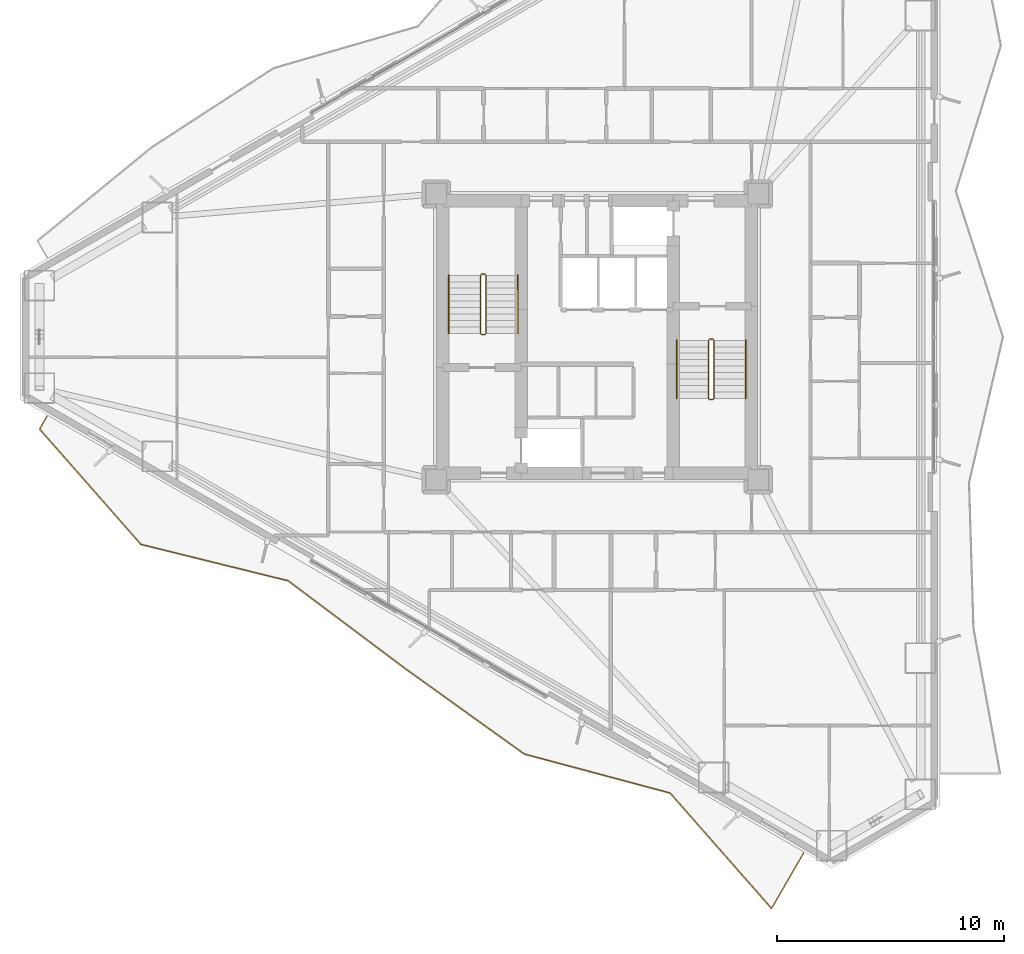
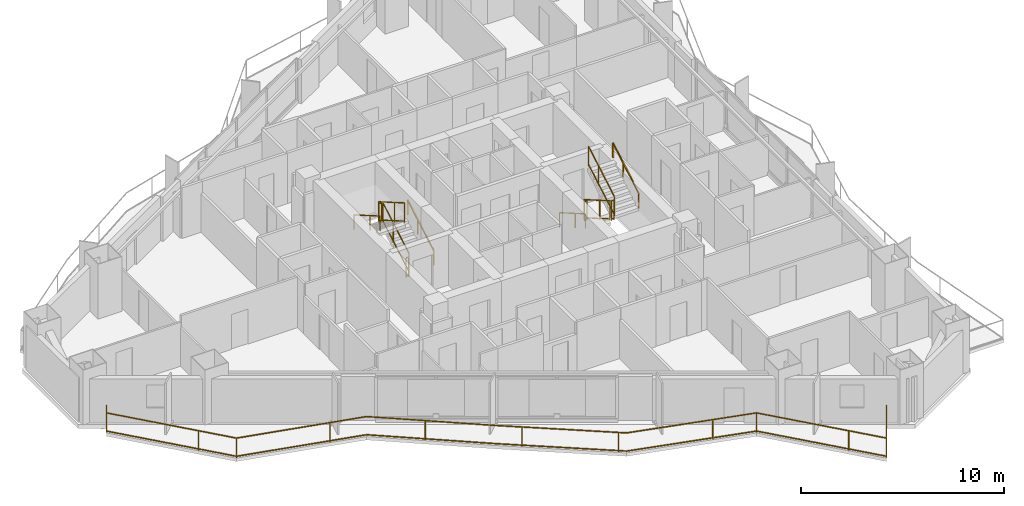
# One storey, part 18 of 19: 13 railings.
"""IFC4 building model written with IfcOpenShell, lengths in metres."""

from ifc_helpers import new_model, si_unit, direction, frame, origin, origin_2d, place, context, subcontext, project, spatial, rectangle, extrude, material, type_object, element, save


model = new_model("IFC4")

# Units and contexts
model_context = context("Model", 3, precision=1e-05, world=origin(), true_north=direction((0.0, 1.0)))
body_context = subcontext(model_context, "Body", "Model", "MODEL_VIEW")
ifc_project = project(units=[si_unit("LENGTHUNIT", "METRE"), si_unit("AREAUNIT", "SQUARE_METRE"), si_unit("VOLUMEUNIT", "CUBIC_METRE"), si_unit("PLANEANGLEUNIT", "RADIAN"), si_unit("MASSUNIT", "GRAM", prefix="KILO")], contexts=[model_context])

# Site, building, storey
site_placement = place(None, origin())
site = spatial("IfcSite", under=ifc_project, at=site_placement, CompositionType="ELEMENT")
building_placement = place(site_placement, origin())
building = spatial("IfcBuilding", under=site, at=building_placement, Name="Mersakhor Tower and Convention Hall", CompositionType="ELEMENT")
storey_placement = place(building_placement, frame((0.0, 0.0, 22.5)))
storey = spatial("IfcBuildingStorey", under=building, at=storey_placement, Name="L05", CompositionType="ELEMENT", Elevation=22.5)

# Railings
ifc_material_1 = material(Name="Powder-coated galvanised steel and laminated glass balustrade", Category="steel")
railing_type_1 = type_object("IfcRailingType", Name="RL-BAL-1200", PredefinedType="BALUSTRADE", material=ifc_material_1)
railing_1_placement = place(storey_placement, frame((4.75048828125, 23.256591796875, 0.0)))
element("IfcRailing", 1, at=railing_1_placement, inside=storey, type_object=railing_type_1, Name="L05 Sinusoidal Balcony Balustrade F3", PredefinedType="BALUSTRADE", context=body_context, shape_type="SweptSolid", body=[
    extrude(rectangle(XDim=0.048095703125, YDim=0.048095703125, at=origin_2d()), frame((0.0, 0.0, 1.17578125), z_axis=(-0.500058503878, -0.86599162392, 0.0), x_axis=(0.86599162392, -0.500058503878, 0.0)), (0.0, 0.0, 1.0), 0.64990234375),
    extrude(rectangle(XDim=0.048095703125, YDim=0.048095703125, at=origin_2d()), frame((0.0, 0.0, 0.080078125), z_axis=(-0.500058503878, -0.86599162392, 0.0), x_axis=(0.86599162392, -0.500058503878, 0.0)), (0.0, 0.0, 1.0), 0.64990234375),
    extrude(rectangle(XDim=0.048095703125, YDim=0.048095703125, at=origin_2d()), frame((-0.324951171875, -0.562744140625, 1.17578125), z_axis=(0.6602427576, -0.75105226252, 0.0), x_axis=(0.75105226252, 0.6602427576, 0.0)), (0.0, 0.0, 1.0), 6.77490234375),
    extrude(rectangle(XDim=0.048095703125, YDim=0.048095703125, at=origin_2d()), frame((-0.324951171875, -0.562744140625, 0.080078125), z_axis=(0.6602427576, -0.75105226252, 0.0), x_axis=(0.75105226252, 0.6602427576, 0.0)), (0.0, 0.0, 1.0), 6.77490234375),
    extrude(rectangle(XDim=0.048095703125, YDim=0.048095703125, at=origin_2d()), frame((4.148193359375, -5.651123046875, 1.17578125), z_axis=(0.97079249637, -0.239920672288, 0.0), x_axis=(0.239920672288, 0.97079249637, 0.0)), (0.0, 0.0, 1.0), 6.680419921875),
    extrude(rectangle(XDim=0.048095703125, YDim=0.048095703125, at=origin_2d()), frame((4.148193359375, -5.651123046875, 0.080078125), z_axis=(0.97079249637, -0.239920672288, 0.0), x_axis=(0.239920672288, 0.97079249637, 0.0)), (0.0, 0.0, 1.0), 6.680419921875),
    extrude(rectangle(XDim=0.048095703125, YDim=0.048095703125, at=origin_2d()), frame((10.633544921875, -7.25390625, 1.17578125), z_axis=(0.800086099683, -0.59988518326, 0.0), x_axis=(0.59988518326, 0.800086099683, 0.0)), (0.0, 0.0, 1.0), 6.46435546875),
    extrude(rectangle(XDim=0.048095703125, YDim=0.048095703125, at=origin_2d()), frame((10.633544921875, -7.25390625, 0.080078125), z_axis=(0.800086099683, -0.59988518326, 0.0), x_axis=(0.59988518326, 0.800086099683, 0.0)), (0.0, 0.0, 1.0), 6.46435546875),
    extrude(rectangle(XDim=0.048095703125, YDim=0.048095703125, at=origin_2d()), frame((15.8056640625, -11.1318359375, 1.17578125), z_axis=(0.812539809748, -0.582905702129, 0.0), x_axis=(0.582905702129, 0.812539809748, 0.0)), (0.0, 0.0, 1.0), 6.44921875),
    extrude(rectangle(XDim=0.048095703125, YDim=0.048095703125, at=origin_2d()), frame((15.8056640625, -11.1318359375, 0.080078125), z_axis=(0.812539809748, -0.582905702129, 0.0), x_axis=(0.582905702129, 0.812539809748, 0.0)), (0.0, 0.0, 1.0), 6.44921875),
    extrude(rectangle(XDim=0.048095703125, YDim=0.048095703125, at=origin_2d()), frame((21.0458984375, -14.89111328125, 1.17578125), z_axis=(0.966054215324, -0.258339414442, 0.0), x_axis=(0.258339414442, 0.966054215324, 0.0)), (0.0, 0.0, 1.0), 6.6455078125),
    extrude(rectangle(XDim=0.048095703125, YDim=0.048095703125, at=origin_2d()), frame((21.0458984375, -14.89111328125, 0.080078125), z_axis=(0.966054215324, -0.258339414442, 0.0), x_axis=(0.258339414442, 0.966054215324, 0.0)), (0.0, 0.0, 1.0), 6.6455078125),
    extrude(rectangle(XDim=0.048095703125, YDim=0.048095703125, at=origin_2d()), frame((27.4658203125, -16.60791015625, 1.17578125), z_axis=(0.660260627075, -0.751036553262, 0.0), x_axis=(0.751036553262, 0.660260627075, 0.0)), (0.0, 0.0, 1.0), 6.77490234375),
    extrude(rectangle(XDim=0.048095703125, YDim=0.048095703125, at=origin_2d()), frame((27.4658203125, -16.60791015625, 0.080078125), z_axis=(0.660260627075, -0.751036553262, 0.0), x_axis=(0.751036553262, 0.660260627075, 0.0)), (0.0, 0.0, 1.0), 6.77490234375),
    extrude(rectangle(XDim=0.048095703125, YDim=0.048095703125, at=origin_2d()), frame((31.93896484375, -21.696044921875, 1.17578125), z_axis=(0.500049687543, 0.865996714767, 0.0), x_axis=(-0.865996714767, 0.500049687543, 0.0)), (0.0, 0.0, 1.0), 2.820068359375),
    extrude(rectangle(XDim=0.048095703125, YDim=0.048095703125, at=origin_2d()), frame((31.93896484375, -21.696044921875, 0.080078125), z_axis=(0.500049687543, 0.865996714767, 0.0), x_axis=(-0.865996714767, 0.500049687543, 0.0)), (0.0, 0.0, 1.0), 2.820068359375),
    extrude(rectangle(XDim=0.0419921875, YDim=0.0419921875, at=origin_2d()), origin(), (0.0, 0.0, 1.0), 1.15185546875),
    extrude(rectangle(XDim=0.0419921875, YDim=0.0419921875, at=origin_2d()), frame((-0.324951171875, -0.562744140625, 0.0)), (0.0, 0.0, 1.0), 1.15185546875),
    extrude(rectangle(XDim=0.0419921875, YDim=0.0419921875, at=origin_2d()), frame((2.84423828125, -4.167724609375, 0.0)), (0.0, 0.0, 1.0), 1.15185546875),
    extrude(rectangle(XDim=0.0419921875, YDim=0.0419921875, at=origin_2d()), frame((4.148193359375, -5.651123046875, 0.0)), (0.0, 0.0, 1.0), 1.15185546875),
    extrude(rectangle(XDim=0.0419921875, YDim=0.0419921875, at=origin_2d()), frame((8.80810546875, -6.802734375, 0.0)), (0.0, 0.0, 1.0), 1.15185546875),
    extrude(rectangle(XDim=0.0419921875, YDim=0.0419921875, at=origin_2d()), frame((12.969482421875, -9.00537109375, 0.0)), (0.0, 0.0, 1.0), 1.15185546875),
    extrude(rectangle(XDim=0.0419921875, YDim=0.0419921875, at=origin_2d()), frame((16.825439453125, -11.863525390625, 0.0)), (0.0, 0.0, 1.0), 1.15185546875),
    extrude(rectangle(XDim=0.0419921875, YDim=0.0419921875, at=origin_2d()), frame((20.7255859375, -14.661376953125, 0.0)), (0.0, 0.0, 1.0), 1.15185546875),
    extrude(rectangle(XDim=0.0419921875, YDim=0.0419921875, at=origin_2d()), frame((25.30224609375, -16.029296875, 0.0)), (0.0, 0.0, 1.0), 1.15185546875),
    extrude(rectangle(XDim=0.0419921875, YDim=0.0419921875, at=origin_2d()), frame((27.4658203125, -16.60791015625, 0.0)), (0.0, 0.0, 1.0), 1.15185546875),
    extrude(rectangle(XDim=0.0419921875, YDim=0.0419921875, at=origin_2d()), frame((30.635009765625, -20.212890625, 0.0)), (0.0, 0.0, 1.0), 1.15185546875),
    extrude(rectangle(XDim=0.0419921875, YDim=0.0419921875, at=origin_2d()), frame((31.93896484375, -21.696044921875, 0.0)), (0.0, 0.0, 1.0), 1.15185546875),
    extrude(rectangle(XDim=0.0419921875, YDim=0.0419921875, at=origin_2d()), frame((33.34912109375, -19.25390625, 0.0)), (0.0, 0.0, 1.0), 1.15185546875),
])
ifc_material_2 = material(Name="Brushed stainless steel handrail", Category="steel")
railing_type_2 = type_object("IfcRailingType", Name="RL-HR-900", PredefinedType="HANDRAIL", material=ifc_material_2)
railing_2_placement = place(storey_placement, frame((25.5, 26.89990234375, 0.1650390625)))
element("IfcRailing", 2, at=railing_2_placement, inside=storey, type_object=railing_type_2, Name="L05 ST-1 stair handrail 1", PredefinedType="HANDRAIL", context=body_context, shape_type="SweptSolid", body=[
    extrude(rectangle(XDim=0.048095703125, YDim=0.048095703125, at=origin_2d()), frame((0.0, 0.0, 0.8759765625), z_axis=(0.0, 0.865461999751, 0.500974577186), x_axis=(-1.0, 0.0, 0.0)), (0.0, 0.0, 1.0), 2.9638671875),
    extrude(rectangle(XDim=0.0419921875, YDim=0.0419921875, at=origin_2d()), origin(), (0.0, 0.0, 1.0), 0.851806640625),
    extrude(rectangle(XDim=0.0419921875, YDim=0.0419921875, at=origin_2d()), frame((0.0, 1.557861328125, 0.90185546875)), (0.0, 0.0, 1.0), 0.851806640625),
    extrude(rectangle(XDim=0.0419921875, YDim=0.0419921875, at=origin_2d()), frame((0.0, 2.565185546875, 1.48486328125)), (0.0, 0.0, 1.0), 0.851806640625),
])
railing_3_placement = place(storey_placement, frame((22.449951171875, 29.465087890625, 1.81494140625)))
element("IfcRailing", 3, at=railing_3_placement, inside=storey, type_object=railing_type_2, Name="L05 ST-1 stair handrail 2", PredefinedType="HANDRAIL", context=body_context, shape_type="SweptSolid", body=[
    extrude(rectangle(XDim=0.048095703125, YDim=0.048095703125, at=origin_2d()), frame((0.0, 0.0, 0.8759765625), z_axis=(0.0, -0.865426285481, 0.501036270542), x_axis=(1.0, 0.0, 0.0)), (0.0, 0.0, 1.0), 2.964111328125),
    extrude(rectangle(XDim=0.0419921875, YDim=0.0419921875, at=origin_2d()), origin(), (0.0, 0.0, 1.0), 0.851806640625),
    extrude(rectangle(XDim=0.0419921875, YDim=0.0419921875, at=origin_2d()), frame((0.0, -1.557861328125, 0.90185546875)), (0.0, 0.0, 1.0), 0.851806640625),
    extrude(rectangle(XDim=0.0419921875, YDim=0.0419921875, at=origin_2d()), frame((0.0, -2.565185546875, 1.485107421875)), (0.0, 0.0, 1.0), 0.851806640625),
])
railing_4_placement = place(storey_placement, frame((32.5, 26.60009765625, 0.1650390625)))
element("IfcRailing", 4, at=railing_4_placement, inside=storey, type_object=railing_type_2, Name="L05 ST-2 stair handrail 1", PredefinedType="HANDRAIL", context=body_context, shape_type="SweptSolid", body=[
    extrude(rectangle(XDim=0.048095703125, YDim=0.048095703125, at=origin_2d()), frame((0.0, 0.0, 0.8759765625), z_axis=(0.0, -0.865461999751, 0.500974577186), x_axis=(1.0, 0.0, 0.0)), (0.0, 0.0, 1.0), 2.9638671875),
    extrude(rectangle(XDim=0.0419921875, YDim=0.0419921875, at=origin_2d()), origin(), (0.0, 0.0, 1.0), 0.851806640625),
    extrude(rectangle(XDim=0.0419921875, YDim=0.0419921875, at=origin_2d()), frame((0.0, -1.557861328125, 0.90185546875)), (0.0, 0.0, 1.0), 0.851806640625),
    extrude(rectangle(XDim=0.0419921875, YDim=0.0419921875, at=origin_2d()), frame((0.0, -2.565185546875, 1.48486328125)), (0.0, 0.0, 1.0), 0.851806640625),
])
railing_5_placement = place(storey_placement, frame((35.550048828125, 24.034912109375, 1.81494140625)))
element("IfcRailing", 5, at=railing_5_placement, inside=storey, type_object=railing_type_2, Name="L05 ST-2 stair handrail 2", PredefinedType="HANDRAIL", context=body_context, shape_type="SweptSolid", body=[
    extrude(rectangle(XDim=0.048095703125, YDim=0.048095703125, at=origin_2d()), frame((0.0, 0.0, 0.8759765625), z_axis=(0.0, 0.865426285481, 0.501036270542), x_axis=(-1.0, 0.0, 0.0)), (0.0, 0.0, 1.0), 2.964111328125),
    extrude(rectangle(XDim=0.0419921875, YDim=0.0419921875, at=origin_2d()), origin(), (0.0, 0.0, 1.0), 0.851806640625),
    extrude(rectangle(XDim=0.0419921875, YDim=0.0419921875, at=origin_2d()), frame((0.0, 1.557861328125, 0.90185546875)), (0.0, 0.0, 1.0), 0.851806640625),
    extrude(rectangle(XDim=0.0419921875, YDim=0.0419921875, at=origin_2d()), frame((0.0, 2.565185546875, 1.485107421875)), (0.0, 0.0, 1.0), 0.851806640625),
])
ifc_material_3 = material(Name="Painted steel stair balustrade S355", Category="steel")
railing_type_3 = type_object("IfcRailingType", Name="RL-STG-1200", PredefinedType="BALUSTRADE", material=ifc_material_3)
railing_6_placement = place(storey_placement, frame((24.10009765625, 26.89990234375, 0.1650390625)))
element("IfcRailing", 6, at=railing_6_placement, inside=storey, type_object=railing_type_3, Name="L05 ST-1 stair guard 1", PredefinedType="BALUSTRADE", context=body_context, shape_type="SweptSolid", body=[
    extrude(rectangle(XDim=0.048095703125, YDim=0.048095703125, at=origin_2d()), frame((0.0, 0.0, 1.17578125), z_axis=(0.0, 0.865461999751, 0.500974577186), x_axis=(-1.0, 0.0, 0.0)), (0.0, 0.0, 1.0), 2.9638671875),
    extrude(rectangle(XDim=0.048095703125, YDim=0.048095703125, at=origin_2d()), frame((0.0, 0.0, 0.080078125), z_axis=(0.0, 0.865461999751, 0.500974577186), x_axis=(-1.0, 0.0, 0.0)), (0.0, 0.0, 1.0), 2.9638671875),
    extrude(rectangle(XDim=0.0419921875, YDim=0.0419921875, at=origin_2d()), origin(), (0.0, 0.0, 1.0), 1.15185546875),
    extrude(rectangle(XDim=0.0419921875, YDim=0.0419921875, at=origin_2d()), frame((0.0, 1.557861328125, 0.90185546875)), (0.0, 0.0, 1.0), 1.15185546875),
    extrude(rectangle(XDim=0.0419921875, YDim=0.0419921875, at=origin_2d()), frame((0.0, 2.565185546875, 1.48486328125)), (0.0, 0.0, 1.0), 1.15185546875),
])
railing_7_placement = place(storey_placement, frame((24.050048828125, 29.514892578125, 1.64990234375)))
element("IfcRailing", 7, at=railing_7_placement, inside=storey, type_object=railing_type_3, Name="L05 ST-1 stair guard 2", PredefinedType="BALUSTRADE", context=body_context, shape_type="SweptSolid", body=[
    extrude(rectangle(XDim=0.048095703125, YDim=0.048095703125, at=origin_2d()), frame((0.0, 0.0, 1.17578125), z_axis=(-1.0, 0.0, 0.0), x_axis=(0.0, -1.0, 0.0)), (0.0, 0.0, 1.0), 0.150146484375),
    extrude(rectangle(XDim=0.048095703125, YDim=0.048095703125, at=origin_2d()), frame((0.0, 0.0, 0.080078125), z_axis=(-1.0, 0.0, 0.0), x_axis=(0.0, -1.0, 0.0)), (0.0, 0.0, 1.0), 0.150146484375),
    extrude(rectangle(XDim=0.0419921875, YDim=0.0419921875, at=origin_2d()), origin(), (0.0, 0.0, 1.0), 1.15185546875),
    extrude(rectangle(XDim=0.0419921875, YDim=0.0419921875, at=origin_2d()), frame((-0.150146484375, 0.0, 0.0)), (0.0, 0.0, 1.0), 1.15185546875),
])
railing_8_placement = place(storey_placement, frame((23.85009765625, 29.465087890625, 1.81494140625)))
element("IfcRailing", 8, at=railing_8_placement, inside=storey, type_object=railing_type_3, Name="L05 ST-1 stair guard 3", PredefinedType="BALUSTRADE", context=body_context, shape_type="SweptSolid", body=[
    extrude(rectangle(XDim=0.048095703125, YDim=0.048095703125, at=origin_2d()), frame((0.0, 0.0, 1.17578125), z_axis=(0.0, -0.865426285481, 0.501036270542), x_axis=(1.0, 0.0, 0.0)), (0.0, 0.0, 1.0), 2.964111328125),
    extrude(rectangle(XDim=0.048095703125, YDim=0.048095703125, at=origin_2d()), frame((0.0, 0.0, 0.080078125), z_axis=(0.0, -0.865426285481, 0.501036270542), x_axis=(1.0, 0.0, 0.0)), (0.0, 0.0, 1.0), 2.964111328125),
    extrude(rectangle(XDim=0.0419921875, YDim=0.0419921875, at=origin_2d()), origin(), (0.0, 0.0, 1.0), 1.15185546875),
    extrude(rectangle(XDim=0.0419921875, YDim=0.0419921875, at=origin_2d()), frame((0.0, -1.557861328125, 0.90185546875)), (0.0, 0.0, 1.0), 1.15185546875),
    extrude(rectangle(XDim=0.0419921875, YDim=0.0419921875, at=origin_2d()), frame((0.0, -2.565185546875, 1.485107421875)), (0.0, 0.0, 1.0), 1.15185546875),
])
railing_9_placement = place(storey_placement, frame((24.050048828125, 26.85009765625, 0.0)))
element("IfcRailing", 9, at=railing_9_placement, inside=storey, type_object=railing_type_3, Name="L05 ST-1 stair guard 4", PredefinedType="BALUSTRADE", context=body_context, shape_type="SweptSolid", body=[
    extrude(rectangle(XDim=0.048095703125, YDim=0.048095703125, at=origin_2d()), frame((0.0, 0.0, 1.17578125), z_axis=(-1.0, 0.0, 0.0), x_axis=(0.0, -1.0, 0.0)), (0.0, 0.0, 1.0), 0.150146484375),
    extrude(rectangle(XDim=0.048095703125, YDim=0.048095703125, at=origin_2d()), frame((0.0, 0.0, 0.080078125), z_axis=(-1.0, 0.0, 0.0), x_axis=(0.0, -1.0, 0.0)), (0.0, 0.0, 1.0), 0.150146484375),
    extrude(rectangle(XDim=0.0419921875, YDim=0.0419921875, at=origin_2d()), origin(), (0.0, 0.0, 1.0), 1.15185546875),
    extrude(rectangle(XDim=0.0419921875, YDim=0.0419921875, at=origin_2d()), frame((-0.150146484375, 0.0, 0.0)), (0.0, 0.0, 1.0), 1.15185546875),
])
railing_10_placement = place(storey_placement, frame((33.89990234375, 26.60009765625, 0.1650390625)))
element("IfcRailing", 10, at=railing_10_placement, inside=storey, type_object=railing_type_3, Name="L05 ST-2 stair guard 1", PredefinedType="BALUSTRADE", context=body_context, shape_type="SweptSolid", body=[
    extrude(rectangle(XDim=0.048095703125, YDim=0.048095703125, at=origin_2d()), frame((0.0, 0.0, 1.17578125), z_axis=(0.0, -0.865461999751, 0.500974577186), x_axis=(1.0, 0.0, 0.0)), (0.0, 0.0, 1.0), 2.9638671875),
    extrude(rectangle(XDim=0.048095703125, YDim=0.048095703125, at=origin_2d()), frame((0.0, 0.0, 0.080078125), z_axis=(0.0, -0.865461999751, 0.500974577186), x_axis=(1.0, 0.0, 0.0)), (0.0, 0.0, 1.0), 2.9638671875),
    extrude(rectangle(XDim=0.0419921875, YDim=0.0419921875, at=origin_2d()), origin(), (0.0, 0.0, 1.0), 1.15185546875),
    extrude(rectangle(XDim=0.0419921875, YDim=0.0419921875, at=origin_2d()), frame((0.0, -1.557861328125, 0.90185546875)), (0.0, 0.0, 1.0), 1.15185546875),
    extrude(rectangle(XDim=0.0419921875, YDim=0.0419921875, at=origin_2d()), frame((0.0, -2.565185546875, 1.48486328125)), (0.0, 0.0, 1.0), 1.15185546875),
])
railing_11_placement = place(storey_placement, frame((33.949951171875, 23.985107421875, 1.64990234375)))
element("IfcRailing", 11, at=railing_11_placement, inside=storey, type_object=railing_type_3, Name="L05 ST-2 stair guard 2", PredefinedType="BALUSTRADE", context=body_context, shape_type="SweptSolid", body=[
    extrude(rectangle(XDim=0.048095703125, YDim=0.048095703125, at=origin_2d()), frame((0.0, 0.0, 1.17578125), z_axis=(1.0, 0.0, 0.0), x_axis=(0.0, 1.0, 0.0)), (0.0, 0.0, 1.0), 0.150146484375),
    extrude(rectangle(XDim=0.048095703125, YDim=0.048095703125, at=origin_2d()), frame((0.0, 0.0, 0.080078125), z_axis=(1.0, 0.0, 0.0), x_axis=(0.0, 1.0, 0.0)), (0.0, 0.0, 1.0), 0.150146484375),
    extrude(rectangle(XDim=0.0419921875, YDim=0.0419921875, at=origin_2d()), origin(), (0.0, 0.0, 1.0), 1.15185546875),
    extrude(rectangle(XDim=0.0419921875, YDim=0.0419921875, at=origin_2d()), frame((0.150146484375, 0.0, 0.0)), (0.0, 0.0, 1.0), 1.15185546875),
])
railing_12_placement = place(storey_placement, frame((34.14990234375, 24.034912109375, 1.81494140625)))
element("IfcRailing", 12, at=railing_12_placement, inside=storey, type_object=railing_type_3, Name="L05 ST-2 stair guard 3", PredefinedType="BALUSTRADE", context=body_context, shape_type="SweptSolid", body=[
    extrude(rectangle(XDim=0.048095703125, YDim=0.048095703125, at=origin_2d()), frame((0.0, 0.0, 1.17578125), z_axis=(0.0, 0.865426285481, 0.501036270542), x_axis=(-1.0, 0.0, 0.0)), (0.0, 0.0, 1.0), 2.964111328125),
    extrude(rectangle(XDim=0.048095703125, YDim=0.048095703125, at=origin_2d()), frame((0.0, 0.0, 0.080078125), z_axis=(0.0, 0.865426285481, 0.501036270542), x_axis=(-1.0, 0.0, 0.0)), (0.0, 0.0, 1.0), 2.964111328125),
    extrude(rectangle(XDim=0.0419921875, YDim=0.0419921875, at=origin_2d()), origin(), (0.0, 0.0, 1.0), 1.15185546875),
    extrude(rectangle(XDim=0.0419921875, YDim=0.0419921875, at=origin_2d()), frame((0.0, 1.557861328125, 0.90185546875)), (0.0, 0.0, 1.0), 1.15185546875),
    extrude(rectangle(XDim=0.0419921875, YDim=0.0419921875, at=origin_2d()), frame((0.0, 2.565185546875, 1.485107421875)), (0.0, 0.0, 1.0), 1.15185546875),
])
railing_13_placement = place(storey_placement, frame((33.949951171875, 26.64990234375, 0.0)))
element("IfcRailing", 13, at=railing_13_placement, inside=storey, type_object=railing_type_3, Name="L05 ST-2 stair guard 4", PredefinedType="BALUSTRADE", context=body_context, shape_type="SweptSolid", body=[
    extrude(rectangle(XDim=0.048095703125, YDim=0.048095703125, at=origin_2d()), frame((0.0, 0.0, 1.17578125), z_axis=(1.0, 0.0, 0.0), x_axis=(0.0, 1.0, 0.0)), (0.0, 0.0, 1.0), 0.150146484375),
    extrude(rectangle(XDim=0.048095703125, YDim=0.048095703125, at=origin_2d()), frame((0.0, 0.0, 0.080078125), z_axis=(1.0, 0.0, 0.0), x_axis=(0.0, 1.0, 0.0)), (0.0, 0.0, 1.0), 0.150146484375),
    extrude(rectangle(XDim=0.0419921875, YDim=0.0419921875, at=origin_2d()), origin(), (0.0, 0.0, 1.0), 1.15185546875),
    extrude(rectangle(XDim=0.0419921875, YDim=0.0419921875, at=origin_2d()), frame((0.150146484375, 0.0, 0.0)), (0.0, 0.0, 1.0), 1.15185546875),
])

save(model, "model.ifc")
